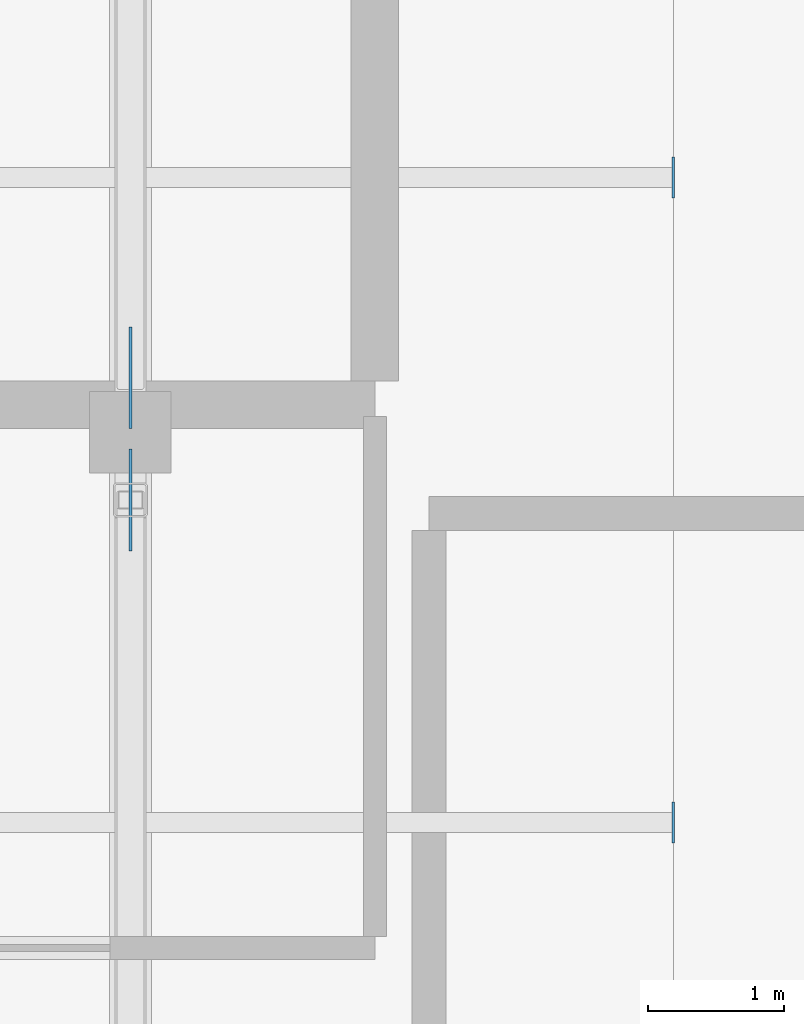
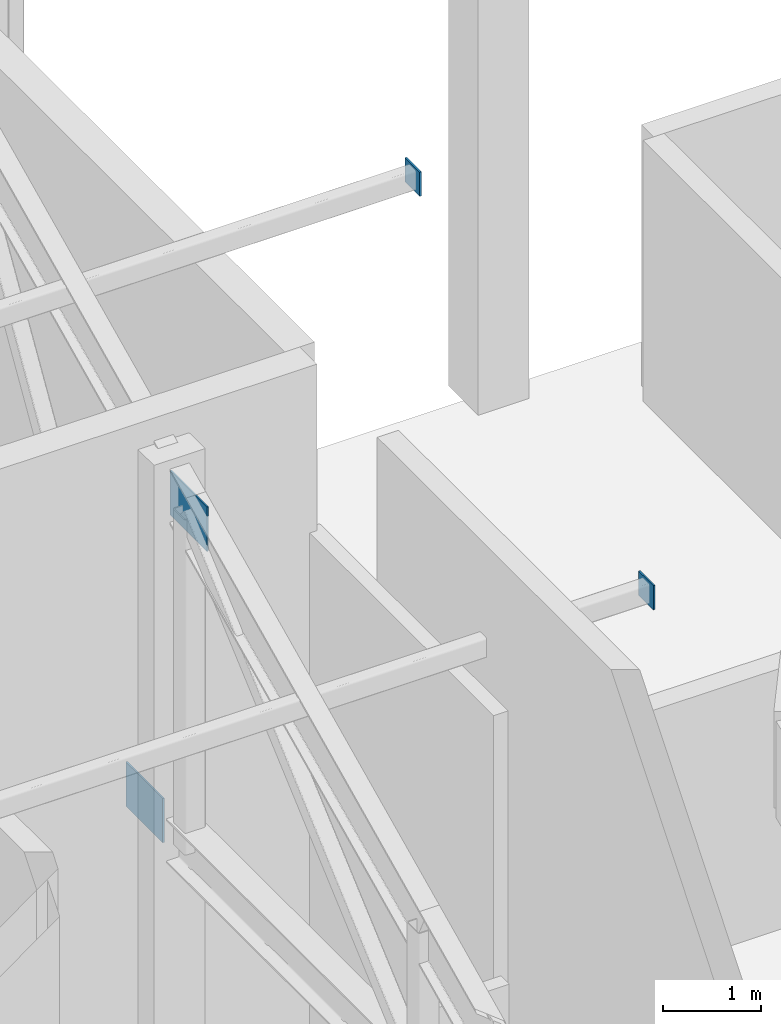
# One storey, part 55 of 68: 4 plates.
"""IFC4 building model written with IfcOpenShell, lengths in metres."""

from ifc_helpers import new_model, si_unit, direction, frame, origin, origin_2d, place, context, subcontext, project, spatial, rectangle, extrude, material, layer, layer_set, type_object, element, save


model = new_model("IFC4")

# Units and contexts
model_context = context("Model", 3, precision=1e-05, world=origin(), true_north=direction((0.0, 1.0)))
body_context = subcontext(model_context, "Body", "Model", "MODEL_VIEW")
ifc_project = project(units=[si_unit("LENGTHUNIT", "METRE"), si_unit("AREAUNIT", "SQUARE_METRE"), si_unit("VOLUMEUNIT", "CUBIC_METRE"), si_unit("PLANEANGLEUNIT", "RADIAN"), si_unit("MASSUNIT", "GRAM", prefix="KILO")], contexts=[model_context])

# Site, building, storey
site_placement = place(None, origin())
site = spatial("IfcSite", under=ifc_project, at=site_placement, CompositionType="ELEMENT")
building_placement = place(site_placement, origin())
building = spatial("IfcBuilding", under=site, at=building_placement, Name="Miravela Opera House", CompositionType="ELEMENT")
storey_placement = place(building_placement, frame((0.0, 0.0, 21.760009765625)))
storey = spatial("IfcBuildingStorey", under=building, at=storey_placement, Name="L05", CompositionType="ELEMENT", Elevation=21.760009765625)

# Plates
ifc_material = material(Name="Structural steel ASTM A572 Gr. 50", Category="steel")
ifc_layer_1 = layer(ifc_material, 0.02001953125)
ifc_layer_set_1 = layer_set([ifc_layer_1])
plate_type_1 = type_object("IfcPlateType", Name="STR-PL-CAP-300X300X20", PredefinedType="SHEET", material=ifc_layer_set_1)
for number, where, z_axis, x_axis, name in (
    (1, (57.998046875, 63.125, 6.3447265625), (0.0, 0.0, 1.0), (1.0, 0.0, 0.0), "HSS Welded End Cap Plate 075"),
    (2, (57.998046875, 67.875, 8.5947265625), (0.0, 0.0, 1.0), (1.0, 0.0, 0.0), "HSS Welded End Cap Plate 076"),
):
    element("IfcPlate", number, at=place(storey_placement, frame(where, z_axis=z_axis, x_axis=x_axis)), inside=storey, type_object=plate_type_1, Name=name, PredefinedType="SHEET", context=body_context, shape_type="SweptSolid", body=[
        extrude(rectangle(XDim=0.02001953125, YDim=0.300048828125, at=origin_2d()), origin(), (0.0, 0.0, 1.0), 0.300048828125),
    ])
ifc_layer_2 = layer(ifc_material, 0.02001953125)
ifc_layer_set_2 = layer_set([ifc_layer_2])
plate_type_2 = type_object("IfcPlateType", Name="STR-PL-GUS-750X550X20", PredefinedType="USERDEFINED", material=ifc_layer_set_2)
for number, where, z_axis, x_axis, name in (
    (3, (54.0, 65.5, 7.1650390625), (0.0, 0.0, 1.0), (0.0, 1.0, 0.0), "Brace Node Gusset Plate 480"),
    (4, (54.0, 66.39990234375, 3.0048828125), (0.0, 0.0, 1.0), (0.0, 1.0, 0.0), "Brace Node Gusset Plate 481"),
):
    element("IfcPlate", number, at=place(storey_placement, frame(where, z_axis=z_axis, x_axis=x_axis)), inside=storey, type_object=plate_type_2, Name=name, ObjectType="GUSSET PLATE", PredefinedType="USERDEFINED", context=body_context, shape_type="SweptSolid", body=[
        extrude(rectangle(XDim=0.75, YDim=0.02001953125, at=origin_2d()), origin(), (0.0, 0.0, 1.0), 0.550048828125),
    ])

save(model, "model.ifc")
